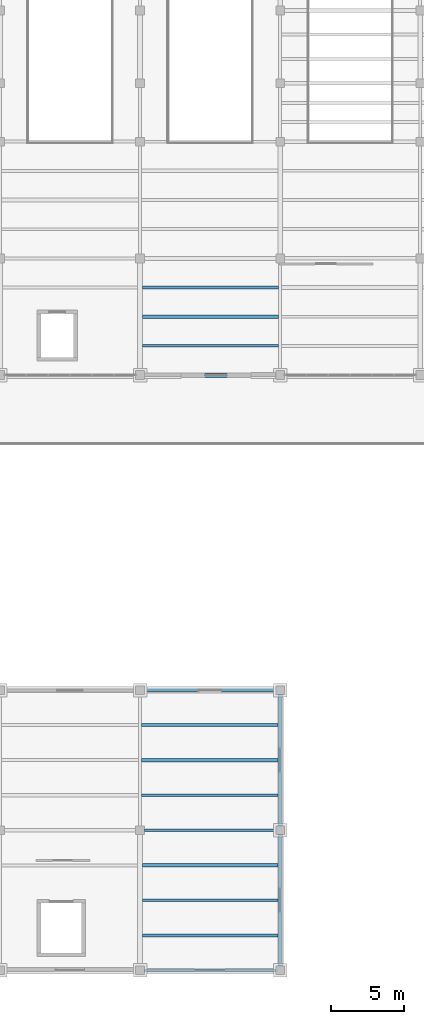
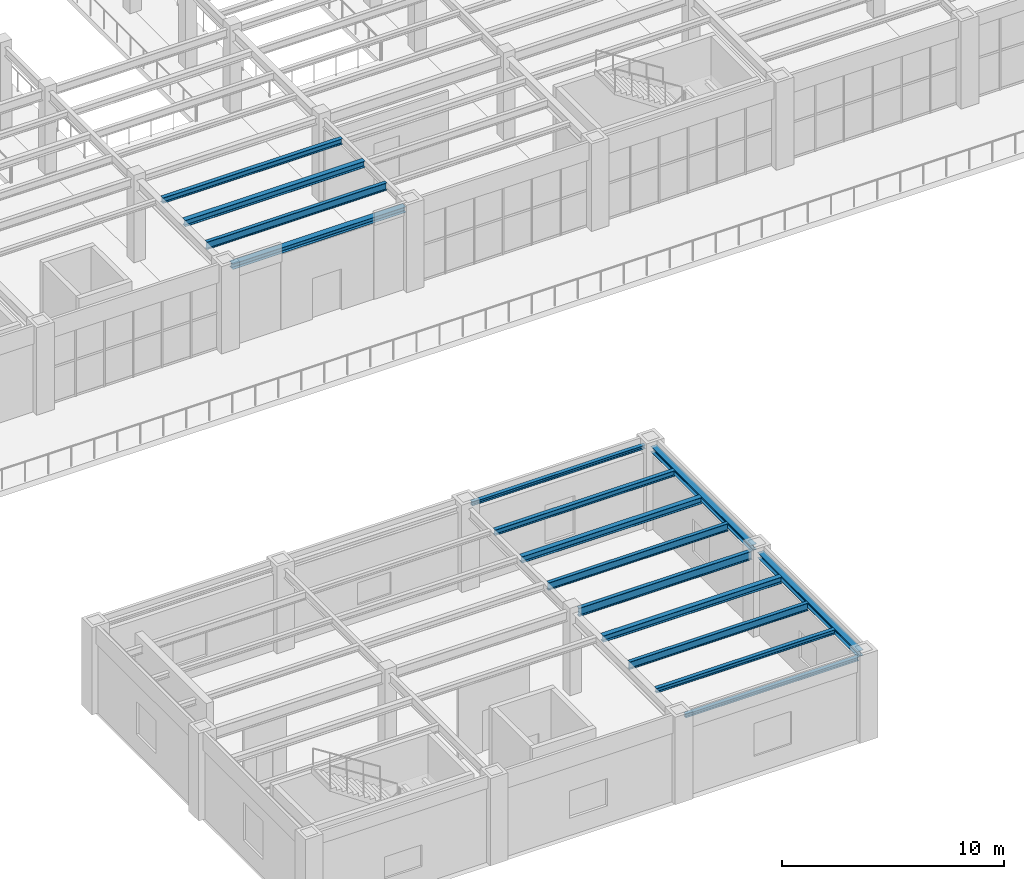
# One storey, part 28 of 83: 15 beams.
"""IFC4 building model written with IfcOpenShell, lengths in metres."""

from ifc_helpers import new_model, si_unit, direction, frame, origin, origin_2d, place, context, subcontext, project, spatial, i_section, extrude, material, material_profile, profile_set, type_object, element, save


model = new_model("IFC4")

# Units and contexts
model_context = context("Model", 3, precision=1e-05, world=origin(), true_north=direction((0.0, 1.0)))
body_context = subcontext(model_context, "Body", "Model", "MODEL_VIEW")
ifc_project = project(units=[si_unit("LENGTHUNIT", "METRE"), si_unit("AREAUNIT", "SQUARE_METRE"), si_unit("VOLUMEUNIT", "CUBIC_METRE"), si_unit("PLANEANGLEUNIT", "RADIAN"), si_unit("MASSUNIT", "GRAM", prefix="KILO")], contexts=[model_context])

# Site, building, storey
site_placement = place(None, origin())
site = spatial("IfcSite", under=ifc_project, at=site_placement, CompositionType="ELEMENT")
building_placement = place(site_placement, origin())
building = spatial("IfcBuilding", under=site, at=building_placement, Name="Mavantir Sound Aquarium", CompositionType="ELEMENT")
storey_placement = place(building_placement, frame((0.0, 0.0, 10.5)))
storey = spatial("IfcBuildingStorey", under=building, at=storey_placement, Name="L02", CompositionType="ELEMENT", Elevation=10.5)

# Beams
ifc_material = material(Name="Structural Steel ASTM A992 Gr50", Category="steel")
ifc_material_profile_1 = material_profile(ifc_material, i_section(OverallWidth=0.202880859375, OverallDepth=0.202880859375, WebThickness=0.007080078125, FlangeThickness=0.010986328125, FilletRadius=0.010009765625, at=origin_2d()), Name="W200X46")
ifc_profile_set_1 = profile_set([ifc_material_profile_1], Name="Structural Steel ASTM A992 Gr50")
beam_type_1 = type_object("IfcBeamType", Name="BM-W200X46-E", PredefinedType="LINTEL", material=ifc_profile_set_1)
for number, where, z_axis, x_axis, name in (
    (1, (127.5, 0.0, 4.37451171875), (1.0, 0.0, 0.0), (0.0, 1.0, 0.0), "L02 primary beam SL-20 1628"),
    (2, (127.5, 19.199951171875, 4.37451171875), (1.0, 0.0, 0.0), (0.0, 1.0, 0.0), "L02 primary beam SL-20 1634"),
):
    element("IfcBeam", number, at=place(storey_placement, frame(where, z_axis=z_axis, x_axis=x_axis)), inside=storey, type_object=beam_type_1, Name=name, PredefinedType="LINTEL", context=body_context, shape_type="SweptSolid", body=[
        extrude(i_section(OverallWidth=0.202880859375, OverallDepth=0.202880859375, WebThickness=0.007080078125, FlangeThickness=0.010986328125, FilletRadius=0.010009765625, at=origin_2d()), origin(), (0.0, 0.0, 1.0), 9.0),
    ])
ifc_material_profile_2 = material_profile(ifc_material, i_section(OverallWidth=0.202880859375, OverallDepth=0.251953125, WebThickness=0.008056640625, FlangeThickness=0.013427734375, FilletRadius=0.011962890625, at=origin_2d()), Name="W250X58")
ifc_profile_set_2 = profile_set([ifc_material_profile_2], Name="Structural Steel ASTM A992 Gr50")
beam_type_2 = type_object("IfcBeamType", Name="BM-W250X58-I", PredefinedType="JOIST", material=ifc_profile_set_2)
beam_1_placement = place(storey_placement, frame((127.362060546875, 2.39990234375, 4.35009765625), z_axis=(1.0, 0.0, 0.0), x_axis=(0.0, 1.0, 0.0)))
element("IfcBeam", 3, at=beam_1_placement, inside=storey, type_object=beam_type_2, Name="L02 secondary floor joist SJ-25 972", PredefinedType="JOIST", context=body_context, shape_type="SweptSolid", body=[
    extrude(i_section(OverallWidth=0.202880859375, OverallDepth=0.251953125, WebThickness=0.008056640625, FlangeThickness=0.013427734375, FilletRadius=0.011962890625, at=origin_2d()), origin(), (0.0, 0.0, 1.0), 9.285400390625),
])
ifc_material_profile_3 = material_profile(ifc_material, i_section(OverallWidth=0.205078125, OverallDepth=0.31005859375, WebThickness=0.009521484375, FlangeThickness=0.016357421875, FilletRadius=0.012939453125, at=origin_2d()), Name="W310X74")
ifc_profile_set_3 = profile_set([ifc_material_profile_3], Name="Structural Steel ASTM A992 Gr50")
beam_type_3 = type_object("IfcBeamType", Name="BM-W310X74-I", PredefinedType="JOIST", material=ifc_profile_set_3)
beam_2_placement = place(storey_placement, frame((127.362060546875, 46.800048828125, 4.3310546875), z_axis=(1.0, 0.0, 0.0), x_axis=(0.0, 1.0, 0.0)))
element("IfcBeam", 4, at=beam_2_placement, inside=storey, type_object=beam_type_3, Name="L02 secondary floor joist SJ-31 895", PredefinedType="JOIST", context=body_context, shape_type="SweptSolid", body=[
    extrude(i_section(OverallWidth=0.205078125, OverallDepth=0.31005859375, WebThickness=0.009521484375, FlangeThickness=0.016357421875, FilletRadius=0.012939453125, at=origin_2d()), origin(), (0.0, 0.0, 1.0), 9.3408203125),
])
beam_3_placement = place(storey_placement, frame((127.305908203125, 16.800048828125, 4.321044921875), z_axis=(1.0, 0.0, 0.0), x_axis=(0.0, 1.0, 0.0)))
element("IfcBeam", 5, at=beam_3_placement, inside=storey, type_object=beam_type_3, Name="L02 secondary floor joist SJ-31 983", PredefinedType="JOIST", context=body_context, shape_type="SweptSolid", body=[
    extrude(i_section(OverallWidth=0.205078125, OverallDepth=0.31005859375, WebThickness=0.009521484375, FlangeThickness=0.016357421875, FilletRadius=0.012939453125, at=origin_2d()), origin(), (0.0, 0.0, 1.0), 9.341552734375),
])
ifc_material_profile_4 = material_profile(ifc_material, i_section(OverallWidth=0.304931640625, OverallDepth=0.30810546875, WebThickness=0.010009765625, FlangeThickness=0.015380859375, FilletRadius=0.014892578125, at=origin_2d()), Name="W310X97")
ifc_profile_set_4 = profile_set([ifc_material_profile_4], Name="Structural Steel ASTM A992 Gr50")
beam_type_4 = type_object("IfcBeamType", Name="BM-W310X97-E", PredefinedType="SPANDREL", material=ifc_profile_set_4)
for number, where, z_axis, x_axis, name in (
    (6, (127.5, 40.800048828125, 4.33203125), (1.0, 0.0, 0.0), (0.0, 1.0, 0.0), "L02 primary beam SS-31A 1517"),
    (7, (136.800048828125, 0.300048828125, 4.322021484375), (0.0, 1.0, 0.0), (-1.0, 0.0, 0.0), "L02 primary girder SS-31A 1641"),
    (8, (136.800048828125, 9.89990234375, 4.322021484375), (0.0, 1.0, 0.0), (-1.0, 0.0, 0.0), "L02 primary girder SS-31A 1642"),
):
    element("IfcBeam", number, at=place(storey_placement, frame(where, z_axis=z_axis, x_axis=x_axis)), inside=storey, type_object=beam_type_4, Name=name, PredefinedType="SPANDREL", context=body_context, shape_type="SweptSolid", body=[
        extrude(i_section(OverallWidth=0.304931640625, OverallDepth=0.30810546875, WebThickness=0.010009765625, FlangeThickness=0.015380859375, FilletRadius=0.014892578125, at=origin_2d()), origin(), (0.0, 0.0, 1.0), 9.0),
    ])
ifc_material_profile_5 = material_profile(ifc_material, i_section(OverallWidth=0.25390625, OverallDepth=0.35302734375, WebThickness=0.009521484375, FlangeThickness=0.016357421875, FilletRadius=0.014892578125, at=origin_2d()), Name="W360X91")
ifc_profile_set_5 = profile_set([ifc_material_profile_5], Name="Structural Steel ASTM A992 Gr50")
beam_type_5 = type_object("IfcBeamType", Name="BM-W360X91-I", PredefinedType="JOIST", material=ifc_profile_set_5)
beam_4_placement = place(storey_placement, frame((127.362060546875, 44.800048828125, 4.3095703125), z_axis=(1.0, 0.0, 0.0), x_axis=(0.0, 1.0, 0.0)))
element("IfcBeam", 9, at=beam_4_placement, inside=storey, type_object=beam_type_5, Name="L02 secondary floor joist SJ-36 894", PredefinedType="JOIST", context=body_context, shape_type="SweptSolid", body=[
    extrude(i_section(OverallWidth=0.25390625, OverallDepth=0.35302734375, WebThickness=0.009521484375, FlangeThickness=0.016357421875, FilletRadius=0.014892578125, at=origin_2d()), origin(), (0.0, 0.0, 1.0), 9.3408203125),
])
beam_5_placement = place(storey_placement, frame((127.362060546875, 7.199951171875, 4.299560546875), z_axis=(1.0, 0.0, 0.0), x_axis=(0.0, 1.0, 0.0)))
element("IfcBeam", 10, at=beam_5_placement, inside=storey, type_object=beam_type_5, Name="L02 secondary floor joist SJ-36 974", PredefinedType="JOIST", context=body_context, shape_type="SweptSolid", body=[
    extrude(i_section(OverallWidth=0.25390625, OverallDepth=0.35302734375, WebThickness=0.009521484375, FlangeThickness=0.016357421875, FilletRadius=0.014892578125, at=origin_2d()), origin(), (0.0, 0.0, 1.0), 9.285400390625),
])
beam_6_placement = place(storey_placement, frame((127.305908203125, 14.39990234375, 4.299560546875), z_axis=(1.0, 0.0, 0.0), x_axis=(0.0, 1.0, 0.0)))
element("IfcBeam", 11, at=beam_6_placement, inside=storey, type_object=beam_type_5, Name="L02 secondary floor joist SJ-36 982", PredefinedType="JOIST", context=body_context, shape_type="SweptSolid", body=[
    extrude(i_section(OverallWidth=0.25390625, OverallDepth=0.35302734375, WebThickness=0.009521484375, FlangeThickness=0.016357421875, FilletRadius=0.014892578125, at=origin_2d()), origin(), (0.0, 0.0, 1.0), 9.341552734375),
])
ifc_material_profile_6 = material_profile(ifc_material, i_section(OverallWidth=0.180908203125, OverallDepth=0.4169921875, WebThickness=0.010986328125, FlangeThickness=0.018310546875, FilletRadius=0.014892578125, at=origin_2d()), Name="W410X85")
ifc_profile_set_6 = profile_set([ifc_material_profile_6], Name="Structural Steel ASTM A992 Gr50")
beam_type_6 = type_object("IfcBeamType", Name="BM-W410X85-I", PredefinedType="JOIST", material=ifc_profile_set_6)
beam_7_placement = place(storey_placement, frame((127.362060546875, 42.800048828125, 4.277587890625), z_axis=(1.0, 0.0, 0.0), x_axis=(0.0, 1.0, 0.0)))
element("IfcBeam", 12, at=beam_7_placement, inside=storey, type_object=beam_type_6, Name="L02 secondary floor joist SJ-41 893", PredefinedType="JOIST", context=body_context, shape_type="SweptSolid", body=[
    extrude(i_section(OverallWidth=0.180908203125, OverallDepth=0.4169921875, WebThickness=0.010986328125, FlangeThickness=0.018310546875, FilletRadius=0.014892578125, at=origin_2d()), origin(), (0.0, 0.0, 1.0), 9.3408203125),
])
beam_8_placement = place(storey_placement, frame((127.362060546875, 4.800048828125, 4.267578125), z_axis=(1.0, 0.0, 0.0), x_axis=(0.0, 1.0, 0.0)))
element("IfcBeam", 13, at=beam_8_placement, inside=storey, type_object=beam_type_6, Name="L02 secondary floor joist SJ-41 973", PredefinedType="JOIST", context=body_context, shape_type="SweptSolid", body=[
    extrude(i_section(OverallWidth=0.180908203125, OverallDepth=0.4169921875, WebThickness=0.010986328125, FlangeThickness=0.018310546875, FilletRadius=0.014892578125, at=origin_2d()), origin(), (0.0, 0.0, 1.0), 9.285400390625),
])
beam_9_placement = place(storey_placement, frame((127.305908203125, 12.0, 4.267578125), z_axis=(1.0, 0.0, 0.0), x_axis=(0.0, 1.0, 0.0)))
element("IfcBeam", 14, at=beam_9_placement, inside=storey, type_object=beam_type_6, Name="L02 secondary floor joist SJ-41 981", PredefinedType="JOIST", context=body_context, shape_type="SweptSolid", body=[
    extrude(i_section(OverallWidth=0.180908203125, OverallDepth=0.4169921875, WebThickness=0.010986328125, FlangeThickness=0.018310546875, FilletRadius=0.014892578125, at=origin_2d()), origin(), (0.0, 0.0, 1.0), 9.341552734375),
])
ifc_material_profile_7 = material_profile(ifc_material, i_section(OverallWidth=0.194091796875, OverallDepth=0.468994140625, WebThickness=0.0126953125, FlangeThickness=0.0205078125, FilletRadius=0.01611328125, at=origin_2d()), Name="W460X106")
ifc_profile_set_7 = profile_set([ifc_material_profile_7], Name="Structural Steel ASTM A992 Gr50")
beam_type_7 = type_object("IfcBeamType", Name="BM-W460X106-I", PredefinedType="BEAM", material=ifc_profile_set_7)
beam_10_placement = place(storey_placement, frame((127.5, 9.60009765625, 4.241455078125), z_axis=(1.0, 0.0, 0.0), x_axis=(0.0, 1.0, 0.0)))
element("IfcBeam", 15, at=beam_10_placement, inside=storey, type_object=beam_type_7, Name="L02 primary beam SB-46 1631", PredefinedType="BEAM", context=body_context, shape_type="SweptSolid", body=[
    extrude(i_section(OverallWidth=0.194091796875, OverallDepth=0.468994140625, WebThickness=0.0126953125, FlangeThickness=0.0205078125, FilletRadius=0.01611328125, at=origin_2d()), origin(), (0.0, 0.0, 1.0), 9.0),
])

save(model, "model.ifc")
